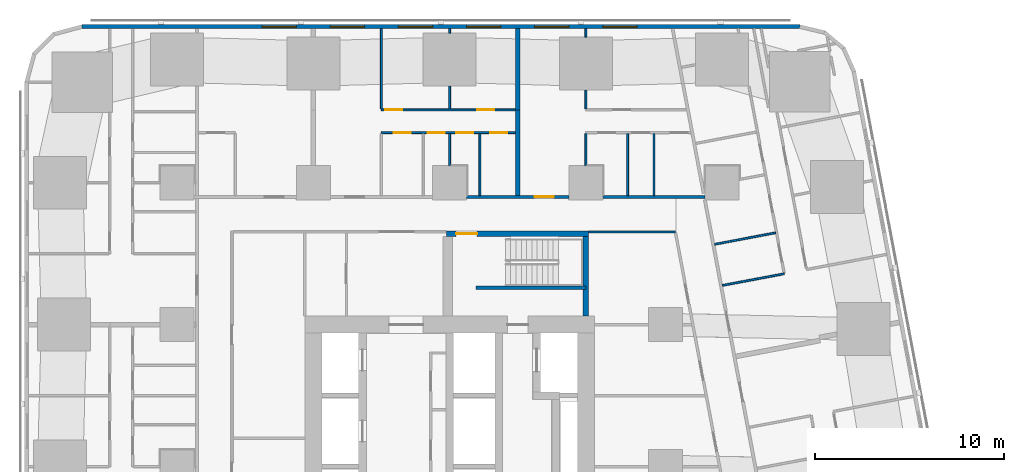
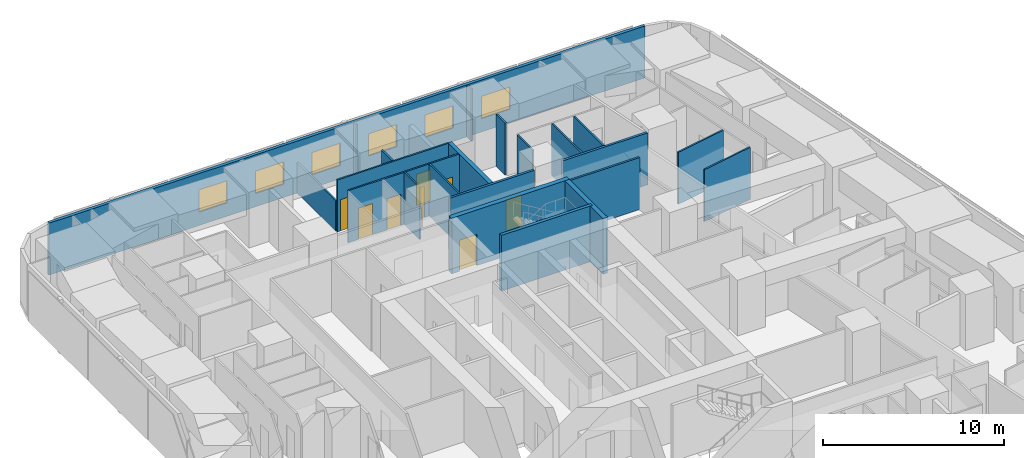
# One storey, part 12 of 18: 23 walls, 8 doors, 6 windows, 14 openings.
"""IFC4 building model written with IfcOpenShell, lengths in metres."""

from ifc_helpers import new_model, si_unit, direction, frame, frame_2d, origin, place, context, subcontext, project, spatial, rectangle, extrude, material, layer, layer_set, type_object, element, fill, save


model = new_model("IFC4")

# Units and contexts
model_context = context("Model", 3, precision=1e-05, world=origin(), true_north=direction((0.0, 1.0)))
body_context = subcontext(model_context, "Body", "Model", "MODEL_VIEW")
ifc_project = project(units=[si_unit("LENGTHUNIT", "METRE"), si_unit("AREAUNIT", "SQUARE_METRE"), si_unit("VOLUMEUNIT", "CUBIC_METRE"), si_unit("PLANEANGLEUNIT", "RADIAN"), si_unit("MASSUNIT", "GRAM", prefix="KILO")], contexts=[model_context])

# Site, building, storey
site_placement = place(None, origin())
site = spatial("IfcSite", under=ifc_project, at=site_placement, CompositionType="ELEMENT")
building_placement = place(site_placement, origin())
building = spatial("IfcBuilding", under=site, at=building_placement, Name="Sheger Commons Tower", CompositionType="ELEMENT")
storey_placement = place(building_placement, frame((0.0, 0.0, 38.75)))
storey = spatial("IfcBuildingStorey", under=building, at=storey_placement, Name="L09", CompositionType="ELEMENT", Elevation=38.75)

# Wall, opening, door
ifc_material_1 = material(Name="Hollow concrete block masonry, skimmed both sides", Category="masonry")
ifc_layer_1 = layer(ifc_material_1, 0.14990234375)
ifc_layer_set_1 = layer_set([ifc_layer_1], Name="CORRIDOR WALL 150")
wall_type_1 = type_object("IfcWallType", Name="CORRIDOR WALL 150", PredefinedType="SOLIDWALL", material=ifc_layer_set_1)
wall_1_placement = place(storey_placement, frame((22.5009765625, 36.75, 0.0), z_axis=(0.0, 0.0, 1.0), x_axis=(1.0, 0.0, 0.0)))
wall_1 = element("IfcWall", 1, at=wall_1_placement, inside=storey, type_object=wall_type_1, Name="Corridor wall L09", PredefinedType="SOLIDWALL", context=body_context, shape_type="SweptSolid", body=[
    extrude(rectangle(XDim=5.39794921875, YDim=0.14990234375, at=frame_2d((2.698974609375, 0.0))), origin(), (0.0, 0.0, 1.0), 3.5),
])
opening_1_placement = place(wall_1_placement, frame((3.59912109375, 0.0, 0.0)))
opening_1 = element("IfcOpeningElement", 2, at=opening_1_placement, cuts=wall_1, Name="Opening D1", PredefinedType="OPENING", context=body_context, shape_type="SweptSolid", body=[
    extrude(rectangle(XDim=1.0, YDim=2.10009765625, at=frame_2d((0.5, 1.050048828125))), frame((0.0, 0.0849609375, 0.0), z_axis=(0.0, -1.0, 0.0), x_axis=(1.0, 0.0, 0.0)), (0.0, 0.0, 1.0), 0.169921875),
])
ifc_material_2 = material(Name="Steel door set, fire rated", Category="steel")
door_type_1 = type_object("IfcDoorType", Name="FLAT ENTRANCE DOOR 1000x2100", OperationType="NOTDEFINED", PredefinedType="DOOR", material=ifc_material_2)
door_1_placement = place(opening_1_placement, origin())
door_1 = element("IfcDoor", 3, at=door_1_placement, inside=storey, type_object=door_type_1, Name="Flat entrance door", OperationType="SINGLE_SWING_RIGHT", OverallHeight=2.10009765625, OverallWidth=1.0, PredefinedType="DOOR", context=body_context, shape_type="SweptSolid", body=[
    extrude(rectangle(XDim=1.0, YDim=2.10009765625, at=frame_2d((0.5, 1.050048828125))), frame((0.0, 0.02490234375, 0.0), z_axis=(0.0, -1.0, 0.0), x_axis=(1.0, 0.0, 0.0)), (0.0, 0.0, 1.0), 0.050048828125),
])
fill(opening_1, door_1)

# Walls
wall_2_placement = place(storey_placement, frame((29.700927734375, 36.75, 0.0), z_axis=(0.0, 0.0, 1.0), x_axis=(1.0, 0.0, 0.0)))
element("IfcWall", 4, at=wall_2_placement, inside=storey, type_object=wall_type_1, Name="Corridor wall L09", PredefinedType="SOLIDWALL", context=body_context, shape_type="SweptSolid", body=[
    extrude(rectangle(XDim=5.399169921875, YDim=0.14990234375, at=frame_2d((2.69970703125, 0.0))), origin(), (0.0, 0.0, 1.0), 3.5),
])
ifc_material_3 = material(Name="Dense concrete block masonry, plastered both sides (separating wall between flats)", Category="masonry")
ifc_layer_2 = layer(ifc_material_3, 0.25)
ifc_layer_set_2 = layer_set([ifc_layer_2], Name="DEMISING WALL 250")
wall_type_2 = type_object("IfcWallType", Name="DEMISING WALL 250", PredefinedType="SOLIDWALL", material=ifc_layer_set_2)
wall_3_placement = place(storey_placement, frame((25.199951171875, 41.35009765625, 0.0), z_axis=(0.0, 0.0, 1.0), x_axis=(0.0, 1.0, 0.0)))
element("IfcWall", 5, at=wall_3_placement, inside=storey, type_object=wall_type_2, Name="Demising wall L09", PredefinedType="SOLIDWALL", context=body_context, shape_type="SweptSolid", body=[
    extrude(rectangle(XDim=4.2998046875, YDim=0.25, at=frame_2d((2.14990234375, 0.0))), origin(), (0.0, 0.0, 1.0), 2.050048828125),
])
wall_4_placement = place(storey_placement, frame((25.199951171875, 36.824951171875, 0.0), z_axis=(0.0, 0.0, 1.0), x_axis=(0.0, 1.0, 0.0)))
element("IfcWall", 6, at=wall_4_placement, inside=storey, type_object=wall_type_2, Name="Demising wall L09", PredefinedType="SOLIDWALL", context=body_context, shape_type="SweptSolid", body=[
    extrude(rectangle(XDim=4.525146484375, YDim=0.25, at=frame_2d((2.2626953125, 0.0))), origin(), (0.0, 0.0, 1.0), 3.5),
])

# Wall, openings, windows
ifc_material_4 = material(Name="Rendered concrete block masonry, dark grey", Category="masonry")
ifc_layer_3 = layer(ifc_material_4, 0.199951171875)
ifc_layer_set_3 = layer_set([ifc_layer_3], Name="FACADE WALL 200")
wall_type_3 = type_object("IfcWallType", Name="FACADE WALL 200", PredefinedType="SOLIDWALL", material=ifc_layer_set_3)
wall_5_placement = place(storey_placement, frame((40.10595703125, 45.75, 0.0), z_axis=(0.0, 0.0, 1.0), x_axis=(-1.0, 0.0, 0.0)))
wall_5 = element("IfcWall", 7, at=wall_5_placement, inside=storey, type_object=wall_type_3, Name="Facade wall L09", PredefinedType="SOLIDWALL", context=body_context, shape_type="SweptSolid", body=[
    extrude(rectangle(XDim=37.94287109375, YDim=0.199951171875, at=frame_2d((18.971435546875, 0.0))), origin(), (0.0, 0.0, 1.0), 3.5),
])
opening_2_placement = place(wall_5_placement, frame((8.60595703125, 0.0, 0.89990234375)))
opening_2 = element("IfcOpeningElement", 8, at=opening_2_placement, cuts=wall_5, Name="Opening W2", PredefinedType="OPENING", context=body_context, shape_type="SweptSolid", body=[
    extrude(rectangle(XDim=1.800048828125, YDim=1.5, at=frame_2d((0.89990234375, 0.75))), frame((0.0, 0.10986328125, 0.0), z_axis=(0.0, -1.0, 0.0), x_axis=(1.0, 0.0, 0.0)), (0.0, 0.0, 1.0), 0.219970703125),
])
opening_3_placement = place(wall_5_placement, frame((12.2060546875, 0.0, 0.89990234375)))
opening_3 = element("IfcOpeningElement", 9, at=opening_3_placement, cuts=wall_5, Name="Opening W2", PredefinedType="OPENING", context=body_context, shape_type="SweptSolid", body=[
    extrude(rectangle(XDim=1.800048828125, YDim=1.5, at=frame_2d((0.89990234375, 0.75))), frame((0.0, 0.10986328125, 0.0), z_axis=(0.0, -1.0, 0.0), x_axis=(1.0, 0.0, 0.0)), (0.0, 0.0, 1.0), 0.219970703125),
])
opening_4_placement = place(wall_5_placement, frame((15.805908203125, 0.0, 0.89990234375)))
opening_4 = element("IfcOpeningElement", 10, at=opening_4_placement, cuts=wall_5, Name="Opening W2", PredefinedType="OPENING", context=body_context, shape_type="SweptSolid", body=[
    extrude(rectangle(XDim=1.800048828125, YDim=1.5, at=frame_2d((0.89990234375, 0.75))), frame((0.0, 0.10986328125, 0.0), z_axis=(0.0, -1.0, 0.0), x_axis=(1.0, 0.0, 0.0)), (0.0, 0.0, 1.0), 0.219970703125),
])
opening_5_placement = place(wall_5_placement, frame((19.406005859375, 0.0, 0.89990234375)))
opening_5 = element("IfcOpeningElement", 11, at=opening_5_placement, cuts=wall_5, Name="Opening W2", PredefinedType="OPENING", context=body_context, shape_type="SweptSolid", body=[
    extrude(rectangle(XDim=1.800048828125, YDim=1.5, at=frame_2d((0.89990234375, 0.75))), frame((0.0, 0.10986328125, 0.0), z_axis=(0.0, -1.0, 0.0), x_axis=(1.0, 0.0, 0.0)), (0.0, 0.0, 1.0), 0.219970703125),
])
opening_6_placement = place(wall_5_placement, frame((23.006103515625, 0.0, 0.89990234375)))
opening_6 = element("IfcOpeningElement", 12, at=opening_6_placement, cuts=wall_5, Name="Opening W2", PredefinedType="OPENING", context=body_context, shape_type="SweptSolid", body=[
    extrude(rectangle(XDim=1.800048828125, YDim=1.5, at=frame_2d((0.89990234375, 0.75))), frame((0.0, 0.10986328125, 0.0), z_axis=(0.0, -1.0, 0.0), x_axis=(1.0, 0.0, 0.0)), (0.0, 0.0, 1.0), 0.219970703125),
])
opening_7_placement = place(wall_5_placement, frame((26.60595703125, 0.0, 0.89990234375)))
opening_7 = element("IfcOpeningElement", 13, at=opening_7_placement, cuts=wall_5, Name="Opening W2", PredefinedType="OPENING", context=body_context, shape_type="SweptSolid", body=[
    extrude(rectangle(XDim=1.800048828125, YDim=1.5, at=frame_2d((0.89990234375, 0.75))), frame((0.0, 0.10986328125, 0.0), z_axis=(0.0, -1.0, 0.0), x_axis=(1.0, 0.0, 0.0)), (0.0, 0.0, 1.0), 0.219970703125),
])
ifc_material_5 = material(Name="Black aluminium frame, dark tinted double glazing", Category="aluminium")
window_type = type_object("IfcWindowType", Name="WINDOW W2 1800x1500", PartitioningType="SINGLE_PANEL", PredefinedType="WINDOW", material=ifc_material_5)
window_1_placement = place(opening_2_placement, origin())
window_1 = element("IfcWindow", 14, at=window_1_placement, inside=storey, type_object=window_type, Name="Window W2 1800X1500", OverallHeight=1.5, OverallWidth=1.800048828125, PartitioningType="SINGLE_PANEL", PredefinedType="WINDOW", context=body_context, shape_type="SweptSolid", body=[
    extrude(rectangle(XDim=1.800048828125, YDim=1.5, at=frame_2d((0.89990234375, 0.75))), frame((0.0, 0.030029296875, 0.0), z_axis=(0.0, -1.0, 0.0), x_axis=(1.0, 0.0, 0.0)), (0.0, 0.0, 1.0), 0.06005859375),
])
fill(opening_2, window_1)
window_2_placement = place(opening_3_placement, origin())
window_2 = element("IfcWindow", 15, at=window_2_placement, inside=storey, type_object=window_type, Name="Window W2 1800X1500", OverallHeight=1.5, OverallWidth=1.800048828125, PartitioningType="SINGLE_PANEL", PredefinedType="WINDOW", context=body_context, shape_type="SweptSolid", body=[
    extrude(rectangle(XDim=1.800048828125, YDim=1.5, at=frame_2d((0.89990234375, 0.75))), frame((0.0, 0.030029296875, 0.0), z_axis=(0.0, -1.0, 0.0), x_axis=(1.0, 0.0, 0.0)), (0.0, 0.0, 1.0), 0.06005859375),
])
fill(opening_3, window_2)
window_3_placement = place(opening_4_placement, origin())
window_3 = element("IfcWindow", 16, at=window_3_placement, inside=storey, type_object=window_type, Name="Window W2 1800X1500", OverallHeight=1.5, OverallWidth=1.800048828125, PartitioningType="SINGLE_PANEL", PredefinedType="WINDOW", context=body_context, shape_type="SweptSolid", body=[
    extrude(rectangle(XDim=1.800048828125, YDim=1.5, at=frame_2d((0.89990234375, 0.75))), frame((0.0, 0.030029296875, 0.0), z_axis=(0.0, -1.0, 0.0), x_axis=(1.0, 0.0, 0.0)), (0.0, 0.0, 1.0), 0.06005859375),
])
fill(opening_4, window_3)
window_4_placement = place(opening_5_placement, origin())
window_4 = element("IfcWindow", 17, at=window_4_placement, inside=storey, type_object=window_type, Name="Window W2 1800X1500", OverallHeight=1.5, OverallWidth=1.800048828125, PartitioningType="SINGLE_PANEL", PredefinedType="WINDOW", context=body_context, shape_type="SweptSolid", body=[
    extrude(rectangle(XDim=1.800048828125, YDim=1.5, at=frame_2d((0.89990234375, 0.75))), frame((0.0, 0.030029296875, 0.0), z_axis=(0.0, -1.0, 0.0), x_axis=(1.0, 0.0, 0.0)), (0.0, 0.0, 1.0), 0.06005859375),
])
fill(opening_5, window_4)
window_5_placement = place(opening_6_placement, origin())
window_5 = element("IfcWindow", 18, at=window_5_placement, inside=storey, type_object=window_type, Name="Window W2 1800X1500", OverallHeight=1.5, OverallWidth=1.800048828125, PartitioningType="SINGLE_PANEL", PredefinedType="WINDOW", context=body_context, shape_type="SweptSolid", body=[
    extrude(rectangle(XDim=1.800048828125, YDim=1.5, at=frame_2d((0.89990234375, 0.75))), frame((0.0, 0.030029296875, 0.0), z_axis=(0.0, -1.0, 0.0), x_axis=(1.0, 0.0, 0.0)), (0.0, 0.0, 1.0), 0.06005859375),
])
fill(opening_6, window_5)
window_6_placement = place(opening_7_placement, origin())
window_6 = element("IfcWindow", 19, at=window_6_placement, inside=storey, type_object=window_type, Name="Window W2 1800X1500", OverallHeight=1.5, OverallWidth=1.800048828125, PartitioningType="SINGLE_PANEL", PredefinedType="WINDOW", context=body_context, shape_type="SweptSolid", body=[
    extrude(rectangle(XDim=1.800048828125, YDim=1.5, at=frame_2d((0.89990234375, 0.75))), frame((0.0, 0.030029296875, 0.0), z_axis=(0.0, -1.0, 0.0), x_axis=(1.0, 0.0, 0.0)), (0.0, 0.0, 1.0), 0.06005859375),
])
fill(opening_7, window_6)

# Walls
ifc_material_6 = material(Name="Gypsum board on steel studs", Category="steel")
ifc_layer_4 = layer(ifc_material_6, 0.10009765625)
ifc_layer_set_4 = layer_set([ifc_layer_4], Name="PARTITION 100")
wall_type_4 = type_object("IfcWallType", Name="PARTITION 100", PredefinedType="PARTITIONING", material=ifc_layer_set_4)
wall_6_placement = place(storey_placement, frame((39.2890625, 32.69189453125, 0.0), z_axis=(0.0, 0.0, 1.0), x_axis=(-0.982633623707, -0.185556356831, 0.0)))
element("IfcWall", 20, at=wall_6_placement, inside=storey, type_object=wall_type_4, Name="Partition L09", PredefinedType="PARTITIONING", context=body_context, shape_type="SweptSolid", body=[
    extrude(rectangle(XDim=3.324951171875, YDim=0.10009765625, at=frame_2d((1.66259765625, 0.0))), origin(), (0.0, 0.0, 1.0), 3.5),
])
wall_7_placement = place(storey_placement, frame((38.8291015625, 34.85498046875, 0.0), z_axis=(0.0, 0.0, 1.0), x_axis=(-0.982610347627, -0.185679575441, 0.0)))
element("IfcWall", 21, at=wall_7_placement, inside=storey, type_object=wall_type_4, Name="Partition L09", PredefinedType="PARTITIONING", context=body_context, shape_type="SweptSolid", body=[
    extrude(rectangle(XDim=3.27392578125, YDim=0.10009765625, at=frame_2d((1.636962890625, 0.0))), origin(), (0.0, 0.0, 1.0), 3.5),
])

# Wall, openings, doors
wall_8_placement = place(storey_placement, frame((18.0, 41.35009765625, 0.0), z_axis=(0.0, 0.0, 1.0), x_axis=(1.0, 0.0, 0.0)))
wall_8 = element("IfcWall", 22, at=wall_8_placement, inside=storey, type_object=wall_type_4, Name="Partition L09", PredefinedType="PARTITIONING", context=body_context, shape_type="SweptSolid", body=[
    extrude(rectangle(XDim=7.074951171875, YDim=0.10009765625, at=frame_2d((3.53759765625, 0.0))), origin(), (0.0, 0.0, 1.0), 3.5),
])
opening_8_placement = place(wall_8_placement, frame((0.199951171875, 0.0, 0.0)))
opening_8 = element("IfcOpeningElement", 23, at=opening_8_placement, cuts=wall_8, Name="Opening D2", PredefinedType="OPENING", context=body_context, shape_type="SweptSolid", body=[
    extrude(rectangle(XDim=0.89990234375, YDim=2.10009765625, at=frame_2d((0.449951171875, 1.050048828125))), frame((0.0, 0.06005859375, 0.0), z_axis=(0.0, -1.0, 0.0), x_axis=(1.0, 0.0, 0.0)), (0.0, 0.0, 1.0), 0.1201171875),
])
opening_9_placement = place(wall_8_placement, frame((5.050048828125, 0.0, 0.0)))
opening_9 = element("IfcOpeningElement", 24, at=opening_9_placement, cuts=wall_8, Name="Opening D2", PredefinedType="OPENING", context=body_context, shape_type="SweptSolid", body=[
    extrude(rectangle(XDim=0.89990234375, YDim=2.10009765625, at=frame_2d((0.449951171875, 1.050048828125))), frame((0.0, 0.06005859375, 0.0), z_axis=(0.0, -1.0, 0.0), x_axis=(1.0, 0.0, 0.0)), (0.0, 0.0, 1.0), 0.1201171875),
])
ifc_material_7 = material(Name="Timber door set", Category="wood")
door_type_2 = type_object("IfcDoorType", Name="INTERNAL DOOR 900x2100", OperationType="NOTDEFINED", PredefinedType="DOOR", material=ifc_material_7)
door_2_placement = place(opening_8_placement, origin())
door_2 = element("IfcDoor", 25, at=door_2_placement, inside=storey, type_object=door_type_2, Name="Main bedroom door", OperationType="SINGLE_SWING_LEFT", OverallHeight=2.10009765625, OverallWidth=0.89990234375, PredefinedType="DOOR", context=body_context, shape_type="SweptSolid", body=[
    extrude(rectangle(XDim=0.89990234375, YDim=2.10009765625, at=frame_2d((0.449951171875, 1.050048828125))), frame((0.0, 0.02490234375, 0.0), z_axis=(0.0, -1.0, 0.0), x_axis=(1.0, 0.0, 0.0)), (0.0, 0.0, 1.0), 0.050048828125),
])
fill(opening_8, door_2)
door_3_placement = place(opening_9_placement, origin())
door_3 = element("IfcDoor", 26, at=door_3_placement, inside=storey, type_object=door_type_2, Name="Bedroom 2 door", OperationType="SINGLE_SWING_RIGHT", OverallHeight=2.10009765625, OverallWidth=0.89990234375, PredefinedType="DOOR", context=body_context, shape_type="SweptSolid", body=[
    extrude(rectangle(XDim=0.89990234375, YDim=2.10009765625, at=frame_2d((0.449951171875, 1.050048828125))), frame((0.0, 0.02490234375, 0.0), z_axis=(0.0, -1.0, 0.0), x_axis=(1.0, 0.0, 0.0)), (0.0, 0.0, 1.0), 0.050048828125),
])
fill(opening_9, door_3)

wall_9_placement = place(storey_placement, frame((18.0, 40.14990234375, 0.0), z_axis=(0.0, 0.0, 1.0), x_axis=(1.0, 0.0, 0.0)))
wall_9 = element("IfcWall", 27, at=wall_9_placement, inside=storey, type_object=wall_type_4, Name="Partition L09", PredefinedType="PARTITIONING", context=body_context, shape_type="SweptSolid", body=[
    extrude(rectangle(XDim=7.074951171875, YDim=0.10009765625, at=frame_2d((3.53759765625, 0.0))), origin(), (0.0, 0.0, 1.0), 3.5),
])
opening_10_placement = place(wall_9_placement, frame((0.655029296875, 0.0, 0.0)))
opening_10 = element("IfcOpeningElement", 28, at=opening_10_placement, cuts=wall_9, Name="Opening D2", PredefinedType="OPENING", context=body_context, shape_type="SweptSolid", body=[
    extrude(rectangle(XDim=0.89990234375, YDim=2.10009765625, at=frame_2d((0.449951171875, 1.050048828125))), frame((0.0, 0.06005859375, 0.0), z_axis=(0.0, -1.0, 0.0), x_axis=(1.0, 0.0, 0.0)), (0.0, 0.0, 1.0), 0.1201171875),
])
opening_11_placement = place(wall_9_placement, frame((3.949951171875, 0.0, 0.0)))
opening_11 = element("IfcOpeningElement", 29, at=opening_11_placement, cuts=wall_9, Name="Opening D2", PredefinedType="OPENING", context=body_context, shape_type="SweptSolid", body=[
    extrude(rectangle(XDim=0.89990234375, YDim=2.10009765625, at=frame_2d((0.449951171875, 1.050048828125))), frame((0.0, 0.06005859375, 0.0), z_axis=(0.0, -1.0, 0.0), x_axis=(1.0, 0.0, 0.0)), (0.0, 0.0, 1.0), 0.1201171875),
])
opening_12_placement = place(wall_9_placement, frame((2.455078125, 0.0, 0.0)))
opening_12 = element("IfcOpeningElement", 30, at=opening_12_placement, cuts=wall_9, Name="Opening D2", PredefinedType="OPENING", context=body_context, shape_type="SweptSolid", body=[
    extrude(rectangle(XDim=0.89990234375, YDim=2.10009765625, at=frame_2d((0.449951171875, 1.050048828125))), frame((0.0, 0.06005859375, 0.0), z_axis=(0.0, -1.0, 0.0), x_axis=(1.0, 0.0, 0.0)), (0.0, 0.0, 1.0), 0.1201171875),
])
opening_13_placement = place(wall_9_placement, frame((5.75, 0.0, 0.0)))
opening_13 = element("IfcOpeningElement", 31, at=opening_13_placement, cuts=wall_9, Name="Opening D2", PredefinedType="OPENING", context=body_context, shape_type="SweptSolid", body=[
    extrude(rectangle(XDim=0.89990234375, YDim=2.10009765625, at=frame_2d((0.449951171875, 1.050048828125))), frame((0.0, 0.06005859375, 0.0), z_axis=(0.0, -1.0, 0.0), x_axis=(1.0, 0.0, 0.0)), (0.0, 0.0, 1.0), 0.1201171875),
])
door_4_placement = place(opening_10_placement, origin())
door_4 = element("IfcDoor", 32, at=door_4_placement, inside=storey, type_object=door_type_2, Name="Bathroom door", OperationType="SINGLE_SWING_RIGHT", OverallHeight=2.10009765625, OverallWidth=0.89990234375, PredefinedType="DOOR", context=body_context, shape_type="SweptSolid", body=[
    extrude(rectangle(XDim=0.89990234375, YDim=2.10009765625, at=frame_2d((0.449951171875, 1.050048828125))), frame((0.0, 0.02490234375, 0.0), z_axis=(0.0, -1.0, 0.0), x_axis=(1.0, 0.0, 0.0)), (0.0, 0.0, 1.0), 0.050048828125),
])
fill(opening_10, door_4)
door_5_placement = place(opening_11_placement, origin())
door_5 = element("IfcDoor", 33, at=door_5_placement, inside=storey, type_object=door_type_2, Name="Shower room door", OperationType="SINGLE_SWING_RIGHT", OverallHeight=2.10009765625, OverallWidth=0.89990234375, PredefinedType="DOOR", context=body_context, shape_type="SweptSolid", body=[
    extrude(rectangle(XDim=0.89990234375, YDim=2.10009765625, at=frame_2d((0.449951171875, 1.050048828125))), frame((0.0, 0.02490234375, 0.0), z_axis=(0.0, -1.0, 0.0), x_axis=(1.0, 0.0, 0.0)), (0.0, 0.0, 1.0), 0.050048828125),
])
fill(opening_11, door_5)
door_6_placement = place(opening_12_placement, origin())
door_6 = element("IfcDoor", 34, at=door_6_placement, inside=storey, type_object=door_type_2, Name="Store door", OperationType="SINGLE_SWING_RIGHT", OverallHeight=2.10009765625, OverallWidth=0.89990234375, PredefinedType="DOOR", context=body_context, shape_type="SweptSolid", body=[
    extrude(rectangle(XDim=0.89990234375, YDim=2.10009765625, at=frame_2d((0.449951171875, 1.050048828125))), frame((0.0, 0.02490234375, 0.0), z_axis=(0.0, -1.0, 0.0), x_axis=(1.0, 0.0, 0.0)), (0.0, 0.0, 1.0), 0.050048828125),
])
fill(opening_12, door_6)
door_7_placement = place(opening_13_placement, origin())
door_7 = element("IfcDoor", 35, at=door_7_placement, inside=storey, type_object=door_type_2, Name="Store door", OperationType="SINGLE_SWING_LEFT", OverallHeight=2.10009765625, OverallWidth=0.89990234375, PredefinedType="DOOR", context=body_context, shape_type="SweptSolid", body=[
    extrude(rectangle(XDim=0.89990234375, YDim=2.10009765625, at=frame_2d((0.449951171875, 1.050048828125))), frame((0.0, 0.02490234375, 0.0), z_axis=(0.0, -1.0, 0.0), x_axis=(1.0, 0.0, 0.0)), (0.0, 0.0, 1.0), 0.050048828125),
])
fill(opening_13, door_7)

# Walls
wall_10_placement = place(storey_placement, frame((18.0, 41.39990234375, 0.0), z_axis=(0.0, 0.0, 1.0), x_axis=(0.0, 1.0, 0.0)))
element("IfcWall", 36, at=wall_10_placement, inside=storey, type_object=wall_type_4, Name="Partition L09", PredefinedType="PARTITIONING", context=body_context, shape_type="SweptSolid", body=[
    extrude(rectangle(XDim=4.25, YDim=0.10009765625, at=frame_2d((2.125, 0.0))), origin(), (0.0, 0.0, 1.0), 2.050048828125),
])
wall_11_placement = place(storey_placement, frame((21.60009765625, 41.39990234375, 0.0), z_axis=(0.0, 0.0, 1.0), x_axis=(0.0, 1.0, 0.0)))
element("IfcWall", 37, at=wall_11_placement, inside=storey, type_object=wall_type_4, Name="Partition L09", PredefinedType="PARTITIONING", context=body_context, shape_type="SweptSolid", body=[
    extrude(rectangle(XDim=1.19921875, YDim=0.10009765625, at=frame_2d((0.599609375, 0.0))), origin(), (0.0, 0.0, 1.0), 3.5),
])
wall_12_placement = place(storey_placement, frame((21.60009765625, 45.40087890625, 0.0), z_axis=(0.0, 0.0, 1.0), x_axis=(0.0, 1.0, 0.0)))
element("IfcWall", 38, at=wall_12_placement, inside=storey, type_object=wall_type_4, Name="Partition L09", PredefinedType="PARTITIONING", context=body_context, shape_type="SweptSolid", body=[
    extrude(rectangle(XDim=0.2490234375, YDim=0.10009765625, at=frame_2d((0.12451171875, 0.0))), origin(), (0.0, 0.0, 1.0), 3.5),
])
wall_13_placement = place(storey_placement, frame((21.60009765625, 38.40087890625, 0.0), z_axis=(0.0, 0.0, 1.0), x_axis=(0.0, 1.0, 0.0)))
element("IfcWall", 39, at=wall_13_placement, inside=storey, type_object=wall_type_4, Name="Partition L09", PredefinedType="PARTITIONING", context=body_context, shape_type="SweptSolid", body=[
    extrude(rectangle(XDim=1.69921875, YDim=0.10009765625, at=frame_2d((0.849609375, 0.0))), origin(), (0.0, 0.0, 1.0), 3.5),
])
wall_14_placement = place(storey_placement, frame((23.199951171875, 36.824951171875, 0.0), z_axis=(0.0, 0.0, 1.0), x_axis=(0.0, 1.0, 0.0)))
element("IfcWall", 40, at=wall_14_placement, inside=storey, type_object=wall_type_4, Name="Partition L09", PredefinedType="PARTITIONING", context=body_context, shape_type="SweptSolid", body=[
    extrude(rectangle(XDim=3.275146484375, YDim=0.10009765625, at=frame_2d((1.6376953125, 0.0))), origin(), (0.0, 0.0, 1.0), 3.5),
])
wall_15_placement = place(storey_placement, frame((28.800048828125, 41.39990234375, 0.0), z_axis=(0.0, 0.0, 1.0), x_axis=(0.0, 1.0, 0.0)))
element("IfcWall", 41, at=wall_15_placement, inside=storey, type_object=wall_type_4, Name="Partition L09", PredefinedType="PARTITIONING", context=body_context, shape_type="SweptSolid", body=[
    extrude(rectangle(XDim=0.9990234375, YDim=0.10009765625, at=frame_2d((0.49951171875, 0.0))), origin(), (0.0, 0.0, 1.0), 3.5),
])
wall_16_placement = place(storey_placement, frame((28.800048828125, 45.200927734375, 0.0), z_axis=(0.0, 0.0, 1.0), x_axis=(0.0, 1.0, 0.0)))
element("IfcWall", 42, at=wall_16_placement, inside=storey, type_object=wall_type_4, Name="Partition L09", PredefinedType="PARTITIONING", context=body_context, shape_type="SweptSolid", body=[
    extrude(rectangle(XDim=0.448974609375, YDim=0.10009765625, at=frame_2d((0.224609375, 0.0))), origin(), (0.0, 0.0, 1.0), 3.5),
])
wall_17_placement = place(storey_placement, frame((28.800048828125, 38.40087890625, 0.0), z_axis=(0.0, 0.0, 1.0), x_axis=(0.0, 1.0, 0.0)))
element("IfcWall", 43, at=wall_17_placement, inside=storey, type_object=wall_type_4, Name="Partition L09", PredefinedType="PARTITIONING", context=body_context, shape_type="SweptSolid", body=[
    extrude(rectangle(XDim=1.69921875, YDim=0.10009765625, at=frame_2d((0.849609375, 0.0))), origin(), (0.0, 0.0, 1.0), 3.5),
])
for number, where, z_axis, x_axis, name in (
    (44, (32.39990234375, 36.824951171875, 0.0), (0.0, 0.0, 1.0), (0.0, 1.0, 0.0), "Partition L09"),
    (45, (31.010009765625, 36.824951171875, 0.0), (0.0, 0.0, 1.0), (0.0, 1.0, 0.0), "Partition L09"),
):
    element("IfcWall", number, at=place(storey_placement, frame(where, z_axis=z_axis, x_axis=x_axis)), inside=storey, type_object=wall_type_4, Name=name, PredefinedType="PARTITIONING", context=body_context, shape_type="SweptSolid", body=[
        extrude(rectangle(XDim=3.275146484375, YDim=0.10009765625, at=frame_2d((1.6376953125, 0.0))), origin(), (0.0, 0.0, 1.0), 3.5),
    ])
ifc_material_8 = material(Name="Gypsum board on steel studs, two layers each side, fire rated", Category="steel")
ifc_layer_5 = layer(ifc_material_8, 0.125)
ifc_layer_set_5 = layer_set([ifc_layer_5], Name="SERVICE WALL 125")
wall_type_5 = type_object("IfcWallType", Name="SERVICE WALL 125", PredefinedType="PARTITIONING", material=ifc_layer_set_5)
wall_18_placement = place(storey_placement, frame((28.949951171875, 34.89990234375, 0.0), z_axis=(0.0, 0.0, 1.0), x_axis=(1.0, 0.0, 0.0)))
element("IfcWall", 46, at=wall_18_placement, inside=storey, type_object=wall_type_5, Name="Service room wall L09", PredefinedType="PARTITIONING", context=body_context, shape_type="SweptSolid", body=[
    extrude(rectangle(XDim=4.588134765625, YDim=0.125, at=frame_2d((2.2939453125, 0.0))), origin(), (0.0, 0.0, 1.0), 3.5),
])

# Wall, opening, door
ifc_material_9 = material(Name="Concrete C50/60", Category="concrete")
ifc_layer_6 = layer(ifc_material_9, 0.300048828125)
ifc_layer_set_6 = layer_set([ifc_layer_6], Name="STAIR CORE WALL 300")
wall_type_6 = type_object("IfcWallType", Name="STAIR CORE WALL 300", PredefinedType="SHEAR", material=ifc_layer_set_6)
wall_19_placement = place(storey_placement, frame((21.449951171875, 34.800048828125, 0.0), z_axis=(0.0, 0.0, 1.0), x_axis=(1.0, 0.0, 0.0)))
wall_19 = element("IfcWall", 47, at=wall_19_placement, inside=storey, type_object=wall_type_6, Name="STW-L09-S2N", PredefinedType="SHEAR", context=body_context, shape_type="SweptSolid", body=[
    extrude(rectangle(XDim=7.5, YDim=0.300048828125, at=frame_2d((3.75, 0.0))), origin(), (0.0, 0.0, 1.0), 3.75),
])
opening_14_placement = place(wall_19_placement, frame((0.5, 0.0, 0.0)))
opening_14 = element("IfcOpeningElement", 48, at=opening_14_placement, cuts=wall_19, Name="Opening D5", PredefinedType="OPENING", context=body_context, shape_type="SweptSolid", body=[
    extrude(rectangle(XDim=1.10009765625, YDim=2.10009765625, at=frame_2d((0.550048828125, 1.050048828125))), frame((0.0, 0.159912109375, 0.0), z_axis=(0.0, -1.0, 0.0), x_axis=(1.0, 0.0, 0.0)), (0.0, 0.0, 1.0), 0.320068359375),
])
ifc_material_10 = material(Name="Steel door set, fire rated", Category="steel")
door_type_3 = type_object("IfcDoorType", Name="STAIR DOOR 1100x2100", OperationType="NOTDEFINED", PredefinedType="DOOR", material=ifc_material_10)
door_8_placement = place(opening_14_placement, origin())
door_8 = element("IfcDoor", 49, at=door_8_placement, inside=storey, type_object=door_type_3, Name="Stair S2 door", OperationType="SINGLE_SWING_RIGHT", OverallHeight=2.10009765625, OverallWidth=1.10009765625, PredefinedType="DOOR", context=body_context, shape_type="SweptSolid", body=[
    extrude(rectangle(XDim=1.10009765625, YDim=2.10009765625, at=frame_2d((0.550048828125, 1.050048828125))), frame((0.0, 0.02490234375, 0.0), z_axis=(0.0, -1.0, 0.0), x_axis=(1.0, 0.0, 0.0)), (0.0, 0.0, 1.0), 0.050048828125),
])
fill(opening_14, door_8)

# Walls
wall_20_placement = place(storey_placement, frame((28.800048828125, 30.449951171875, 0.0), z_axis=(0.0, 0.0, 1.0), x_axis=(0.0, 1.0, 0.0)))
element("IfcWall", 50, at=wall_20_placement, inside=storey, type_object=wall_type_6, Name="STW-L09-S2E", PredefinedType="SHEAR", context=body_context, shape_type="SweptSolid", body=[
    extrude(rectangle(XDim=4.199951171875, YDim=0.300048828125, at=frame_2d((2.10009765625, 0.0))), origin(), (0.0, 0.0, 1.0), 3.75),
])
ifc_material_11 = material(Name="Concrete C50/60", Category="concrete")
ifc_layer_7 = layer(ifc_material_11, 0.199951171875)
ifc_layer_set_7 = layer_set([ifc_layer_7], Name="STAIR SPINE WALL 200")
wall_type_7 = type_object("IfcWallType", Name="STAIR SPINE WALL 200", PredefinedType="SHEAR", material=ifc_layer_set_7)
wall_21_placement = place(storey_placement, frame((23.0, 31.949951171875, 0.0), z_axis=(0.0, 0.0, 1.0), x_axis=(1.0, 0.0, 0.0)))
element("IfcWall", 51, at=wall_21_placement, inside=storey, type_object=wall_type_7, Name="Stair spine wall L09", PredefinedType="SHEAR", context=body_context, shape_type="SweptSolid", body=[
    extrude(rectangle(XDim=5.800048828125, YDim=0.199951171875, at=frame_2d((2.89990234375, 0.0))), origin(), (0.0, 0.0, 1.0), 3.75),
])

save(model, "model.ifc")
